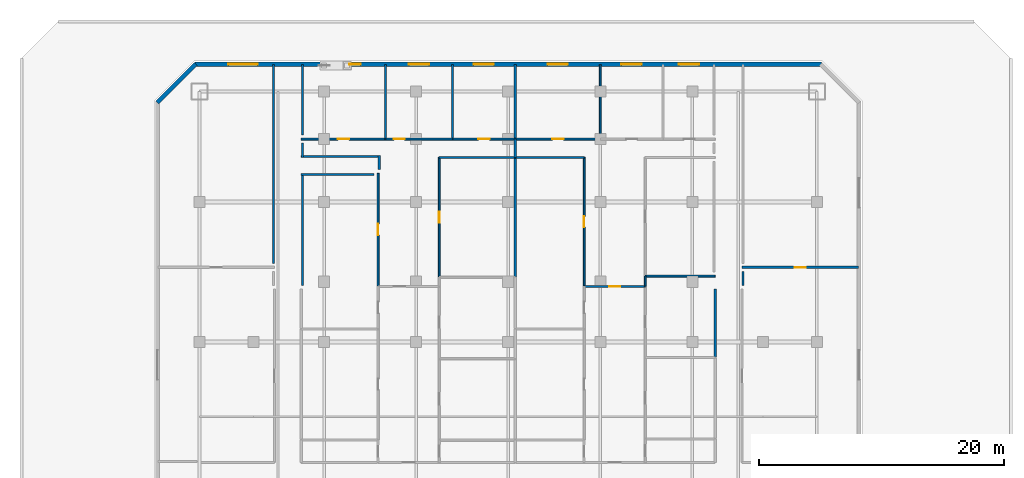
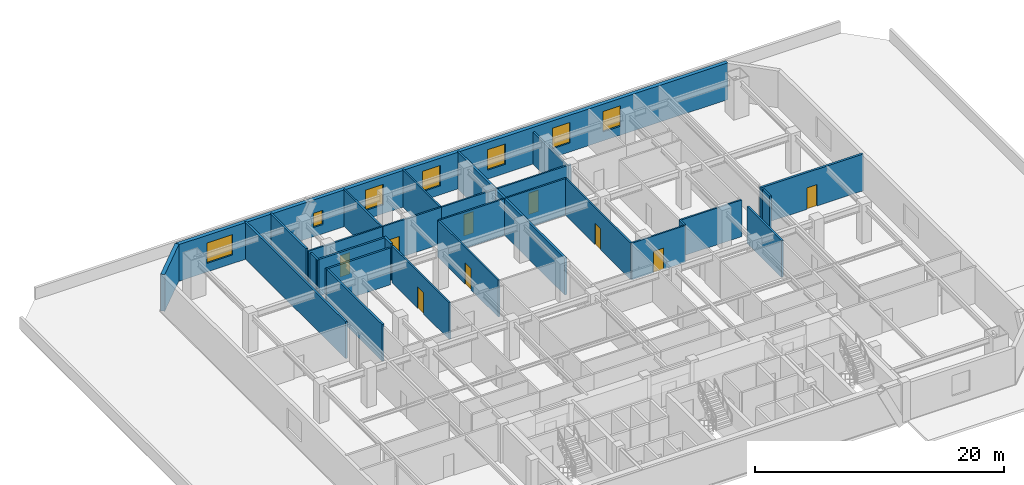
# One storey, part 8 of 11: 30 walls, 9 doors, 7 windows, 16 openings.
"""IFC4 building model written with IfcOpenShell, lengths in metres."""

from ifc_helpers import new_model, si_unit, direction, frame, frame_2d, origin, place, context, subcontext, project, spatial, rectangle, extrude, material, layer, layer_set, type_object, element, fill, save


model = new_model("IFC4")

# Units and contexts
model_context = context("Model", 3, precision=1e-05, world=origin(), true_north=direction((0.0, 1.0)))
body_context = subcontext(model_context, "Body", "Model", "MODEL_VIEW")
ifc_project = project(units=[si_unit("LENGTHUNIT", "METRE"), si_unit("AREAUNIT", "SQUARE_METRE"), si_unit("VOLUMEUNIT", "CUBIC_METRE"), si_unit("PLANEANGLEUNIT", "RADIAN"), si_unit("MASSUNIT", "GRAM", prefix="KILO")], contexts=[model_context])

# Site, building, storey
site_placement = place(None, origin())
site = spatial("IfcSite", under=ifc_project, at=site_placement, CompositionType="ELEMENT")
building_placement = place(site_placement, origin())
building = spatial("IfcBuilding", under=site, at=building_placement, Name="Ventersveld Concourse Tower", CompositionType="ELEMENT")
storey_placement = place(building_placement, frame((0.0, 0.0, 29.800048828125)))
storey = spatial("IfcBuildingStorey", under=building, at=storey_placement, Name="L06", CompositionType="ELEMENT", Elevation=29.800048828125)

# Walls
ifc_material_1 = material(Name="Fire-rated autoclaved aerated masonry blockwork", Category="masonry")
ifc_layer_1 = layer(ifc_material_1, 0.179931640625)
ifc_layer_set_1 = layer_set([ifc_layer_1], Name="Fire-rated autoclaved aerated masonry blockwork")
wall_type_1 = type_object("IfcWallType", Name="WL-CORR-180", PredefinedType="PARTITIONING", material=ifc_layer_set_1)
wall_1_placement = place(storey_placement, frame((45.610107421875, 22.359619140625, 0.0), z_axis=(0.0, 0.0, 1.0), x_axis=(0.0, 1.0, 0.0)))
element("IfcWall", 1, at=wall_1_placement, inside=storey, type_object=wall_type_1, Name="L06 Interior Partition SP-L06-COR-SP-L06-06N2-DENS", PredefinedType="PARTITIONING", context=body_context, shape_type="SweptSolid", body=[
    extrude(rectangle(XDim=5.535400390625, YDim=0.179931640625, at=frame_2d((2.767578125, 0.0))), origin(), (0.0, 0.0, 1.0), 3.599853515625),
])
wall_2_placement = place(storey_placement, frame((9.6201171875, 46.18994140625, 0.0), z_axis=(0.0, 0.0, 1.0), x_axis=(0.0, -1.0, 0.0)))
element("IfcWall", 2, at=wall_2_placement, inside=storey, type_object=wall_type_1, Name="L06 Room Enclosure Wall SP-L06-NWLNG2", PredefinedType="PARTITIONING", context=body_context, shape_type="SweptSolid", body=[
    extrude(rectangle(XDim=16.19482421875, YDim=0.179931640625, at=frame_2d((8.097412109375, 0.0))), origin(), (0.0, 0.0, 1.0), 3.599853515625),
])
wall_3_placement = place(storey_placement, frame((47.8798828125, 28.2099609375, 0.0), z_axis=(0.0, 0.0, 1.0), x_axis=(0.0, 1.0, 0.0)))
element("IfcWall", 3, at=wall_3_placement, inside=storey, type_object=wall_type_1, Name="L06 Room Enclosure Wall SP-L06-NELNG1", PredefinedType="PARTITIONING", context=body_context, shape_type="SweptSolid", body=[
    extrude(rectangle(XDim=1.135009765625, YDim=0.179931640625, at=frame_2d((0.5673828125, 0.0))), origin(), (0.0, 0.0, 1.0), 3.599853515625),
])
wall_4_placement = place(storey_placement, frame((18.3330078125, 38.7099609375, 0.0), z_axis=(0.0, 0.0, 1.0), x_axis=(-1.0, 0.0, 0.0)))
element("IfcWall", 4, at=wall_4_placement, inside=storey, type_object=wall_type_1, Name="L06 Room Enclosure Wall SP-L06-06N1-LIV", PredefinedType="PARTITIONING", context=body_context, shape_type="SweptSolid", body=[
    extrude(rectangle(XDim=6.447998046875, YDim=0.179931640625, at=frame_2d((3.22412109375, 0.0))), origin(), (0.0, 0.0, 1.0), 3.599853515625),
])
wall_5_placement = place(storey_placement, frame((11.97998046875, 38.614990234375, 0.0), z_axis=(0.0, 0.0, 1.0), x_axis=(0.0, 1.0, 0.0)))
element("IfcWall", 5, at=wall_5_placement, inside=storey, type_object=wall_type_1, Name="L06 Room Enclosure Wall SP-L06-06N1-LIV", PredefinedType="PARTITIONING", context=body_context, shape_type="SweptSolid", body=[
    extrude(rectangle(XDim=1.179931640625, YDim=0.179931640625, at=frame_2d((0.58984375, 0.0))), origin(), (0.0, 0.0, 1.0), 3.599853515625),
])
wall_6_placement = place(storey_placement, frame((18.23779296875, 37.654052734375, 0.0), z_axis=(0.0, 0.0, 1.0), x_axis=(0.0, 1.0, 0.0)))
element("IfcWall", 6, at=wall_6_placement, inside=storey, type_object=wall_type_1, Name="L06 Room Enclosure Wall SP-L06-06N1-LIV", PredefinedType="PARTITIONING", context=body_context, shape_type="SweptSolid", body=[
    extrude(rectangle(XDim=1.15087890625, YDim=0.179931640625, at=frame_2d((0.575439453125, 0.0))), origin(), (0.0, 0.0, 1.0), 3.599853515625),
])
wall_7_placement = place(storey_placement, frame((11.885009765625, 37.244140625, 0.0), z_axis=(0.0, 0.0, 1.0), x_axis=(1.0, 0.0, 0.0)))
element("IfcWall", 7, at=wall_7_placement, inside=storey, type_object=wall_type_1, Name="L06 Room Enclosure Wall SP-L06-06N1-DENL2", PredefinedType="PARTITIONING", context=body_context, shape_type="SweptSolid", body=[
    extrude(rectangle(XDim=5.93798828125, YDim=0.179931640625, at=frame_2d((2.968994140625, 0.0))), origin(), (0.0, 0.0, 1.0), 3.599853515625),
])
wall_8_placement = place(storey_placement, frame((11.97998046875, 28.2099609375, 0.0), z_axis=(0.0, 0.0, 1.0), x_axis=(0.0, 1.0, 0.0)))
element("IfcWall", 8, at=wall_8_placement, inside=storey, type_object=wall_type_1, Name="L06 Room Enclosure Wall SP-L06-06N1-DENL2", PredefinedType="PARTITIONING", context=body_context, shape_type="SweptSolid", body=[
    extrude(rectangle(XDim=9.129150390625, YDim=0.179931640625, at=frame_2d((4.564453125, 0.0))), origin(), (0.0, 0.0, 1.0), 3.599853515625),
])
wall_9_placement = place(storey_placement, frame((11.97998046875, 40.445068359375, 0.0), z_axis=(0.0, 0.0, 1.0), x_axis=(0.0, 1.0, 0.0)))
element("IfcWall", 9, at=wall_9_placement, inside=storey, type_object=wall_type_1, Name="L06 Room Enclosure Wall SP-L06-06N1-BR1", PredefinedType="PARTITIONING", context=body_context, shape_type="SweptSolid", body=[
    extrude(rectangle(XDim=5.744873046875, YDim=0.179931640625, at=frame_2d((2.87255859375, 0.0))), origin(), (0.0, 0.0, 1.0), 3.599853515625),
])

# Wall, opening, door
ifc_layer_2 = layer(ifc_material_1, 0.199951171875)
ifc_layer_set_2 = layer_set([ifc_layer_2], Name="Fire-rated autoclaved aerated masonry blockwork")
wall_type_2 = type_object("IfcWallType", Name="WL-DEMISE-200", PredefinedType="PARTITIONING", material=ifc_layer_set_2)
wall_10_placement = place(storey_placement, frame((47.784912109375, 29.669921875, 0.0), z_axis=(0.0, 0.0, 1.0), x_axis=(1.0, 0.0, 0.0)))
wall_10 = element("IfcWall", 10, at=wall_10_placement, inside=storey, type_object=wall_type_2, Name="L06 Interior Partition SP-L06-NELNG1-SP-L06-NELNG2", PredefinedType="PARTITIONING", context=body_context, shape_type="SweptSolid", body=[
    extrude(rectangle(XDim=9.505126953125, YDim=0.199951171875, at=frame_2d((4.75244140625, 0.0))), origin(), (0.0, 0.0, 1.0), 3.599853515625),
])
opening_1_placement = place(wall_10_placement, frame((4.29248046875, 0.0, 0.0)))
opening_1 = element("IfcOpeningElement", 11, at=opening_1_placement, cuts=wall_10, Name="Opening ID1", PredefinedType="OPENING", context=body_context, shape_type="SweptSolid", body=[
    extrude(rectangle(XDim=0.919921875, YDim=2.10009765625, at=frame_2d((0.4599609375, 1.050048828125))), frame((0.0, 0.10986328125, 0.0), z_axis=(0.0, -1.0, 0.0), x_axis=(1.0, 0.0, 0.0)), (0.0, 0.0, 1.0), 0.219970703125),
])
ifc_material_2 = material(Name="Solid-core hardwood veneer timber", Category="wood")
door_type = type_object("IfcDoorType", Name="DR-ROOM-092", OperationType="NOTDEFINED", PredefinedType="DOOR", material=ifc_material_2)
door_1_placement = place(opening_1_placement, origin())
door_1 = element("IfcDoor", 12, at=door_1_placement, inside=storey, type_object=door_type, Name="L06 Interior Door SP-L06-NELNG1 to SP-L06-NELNG2 (D-L06-0192)", OperationType="SINGLE_SWING_RIGHT", OverallHeight=2.10009765625, OverallWidth=0.919921875, PredefinedType="DOOR", context=body_context, shape_type="SweptSolid", body=[
    extrude(rectangle(XDim=0.919921875, YDim=2.10009765625, at=frame_2d((0.4599609375, 1.050048828125))), frame((0.0, 0.02490234375, 0.0), z_axis=(0.0, -1.0, 0.0), x_axis=(1.0, 0.0, 0.0)), (0.0, 0.0, 1.0), 0.050048828125),
])
fill(opening_1, door_1)

# Walls
wall_11_placement = place(storey_placement, frame((29.314208984375, 38.614990234375, 0.0), z_axis=(0.0, 0.0, 1.0), x_axis=(0.0, 1.0, 0.0)))
element("IfcWall", 13, at=wall_11_placement, inside=storey, type_object=wall_type_2, Name="L06 Interior Partition SP-L06-06N1-LIV-SP-L06-06N2-LIV", PredefinedType="PARTITIONING", context=body_context, shape_type="SweptSolid", body=[
    extrude(rectangle(XDim=1.510009765625, YDim=0.199951171875, at=frame_2d((0.7548828125, 0.0))), origin(), (0.0, 0.0, 1.0), 3.599853515625),
])
wall_12_placement = place(storey_placement, frame((29.314208984375, 28.90087890625, 0.0), z_axis=(0.0, 0.0, 1.0), x_axis=(0.0, 1.0, 0.0)))
element("IfcWall", 14, at=wall_12_placement, inside=storey, type_object=wall_type_2, Name="L06 Interior Partition SP-L06-06N1-DENS2-SP-L06-06N2-DENL2", PredefinedType="PARTITIONING", context=body_context, shape_type="SweptSolid", body=[
    extrude(rectangle(XDim=9.68408203125, YDim=0.199951171875, at=frame_2d((4.842041015625, 0.0))), origin(), (0.0, 0.0, 1.0), 3.599853515625),
])
wall_13_placement = place(storey_placement, frame((29.314208984375, 40.155029296875, 0.0), z_axis=(0.0, 0.0, 1.0), x_axis=(0.0, 1.0, 0.0)))
element("IfcWall", 15, at=wall_13_placement, inside=storey, type_object=wall_type_2, Name="L06 Interior Partition SP-L06-06N1-BR3-SP-L06-06N2-BR1", PredefinedType="PARTITIONING", context=body_context, shape_type="SweptSolid", body=[
    extrude(rectangle(XDim=6.034912109375, YDim=0.199951171875, at=frame_2d((3.017578125, 0.0))), origin(), (0.0, 0.0, 1.0), 3.599853515625),
])

# Wall, opening, door
ifc_material_3 = material(Name="Autoclaved aerated masonry blockwork", Category="masonry")
ifc_layer_3 = layer(ifc_material_3, 0.14990234375)
ifc_layer_set_3 = layer_set([ifc_layer_3], Name="Autoclaved aerated masonry blockwork")
wall_type_3 = type_object("IfcWallType", Name="WL-INT-150", PredefinedType="PARTITIONING", material=ifc_layer_set_3)
wall_14_placement = place(storey_placement, frame((18.14794921875, 28.151611328125, 0.0), z_axis=(0.0, 0.0, 1.0), x_axis=(0.0, 1.0, 0.0)))
wall_14 = element("IfcWall", 16, at=wall_14_placement, inside=storey, type_object=wall_type_3, Name="L06 Interior Partition SP-L06-06N1-LIV-SP-L06-06N1-DENL2", PredefinedType="PARTITIONING", context=body_context, shape_type="SweptSolid", body=[
    extrude(rectangle(XDim=9.1875, YDim=0.14990234375, at=frame_2d((4.59375, 0.0))), origin(), (0.0, 0.0, 1.0), 3.599853515625),
])
opening_2_placement = place(wall_14_placement, frame((4.1337890625, 0.0, 0.0)))
opening_2 = element("IfcOpeningElement", 17, at=opening_2_placement, cuts=wall_14, Name="Opening ID1", PredefinedType="OPENING", context=body_context, shape_type="SweptSolid", body=[
    extrude(rectangle(XDim=0.919921875, YDim=2.10009765625, at=frame_2d((0.4599609375, 1.050048828125))), frame((0.0, 0.0849609375, 0.0), z_axis=(0.0, -1.0, 0.0), x_axis=(1.0, 0.0, 0.0)), (0.0, 0.0, 1.0), 0.169921875),
])
door_2_placement = place(opening_2_placement, origin())
door_2 = element("IfcDoor", 18, at=door_2_placement, inside=storey, type_object=door_type, Name="L06 Interior Door SP-L06-06N1-LIV to SP-L06-06N1-DENL2 (D-L06-0200)", OperationType="SINGLE_SWING_RIGHT", OverallHeight=2.10009765625, OverallWidth=0.919921875, PredefinedType="DOOR", context=body_context, shape_type="SweptSolid", body=[
    extrude(rectangle(XDim=0.919921875, YDim=2.10009765625, at=frame_2d((0.4599609375, 1.050048828125))), frame((0.0, 0.02490234375, 0.0), z_axis=(0.0, -1.0, 0.0), x_axis=(1.0, 0.0, 0.0)), (0.0, 0.0, 1.0), 0.050048828125),
])
fill(opening_2, door_2)

wall_15_placement = place(storey_placement, frame((23.1279296875, 28.90087890625, 0.0), z_axis=(0.0, 0.0, 1.0), x_axis=(0.0, 1.0, 0.0)))
wall_15 = element("IfcWall", 19, at=wall_15_placement, inside=storey, type_object=wall_type_3, Name="L06 Interior Partition SP-L06-06N1-LIV-SP-L06-06N1-DENS2", PredefinedType="PARTITIONING", context=body_context, shape_type="SweptSolid", body=[
    extrude(rectangle(XDim=9.72412109375, YDim=0.14990234375, at=frame_2d((4.862060546875, 0.0))), origin(), (0.0, 0.0, 1.0), 3.599853515625),
])
opening_3_placement = place(wall_15_placement, frame((4.402099609375, 0.0, 0.0)))
opening_3 = element("IfcOpeningElement", 20, at=opening_3_placement, cuts=wall_15, Name="Opening ID1", PredefinedType="OPENING", context=body_context, shape_type="SweptSolid", body=[
    extrude(rectangle(XDim=0.919921875, YDim=2.10009765625, at=frame_2d((0.4599609375, 1.050048828125))), frame((0.0, 0.0849609375, 0.0), z_axis=(0.0, -1.0, 0.0), x_axis=(1.0, 0.0, 0.0)), (0.0, 0.0, 1.0), 0.169921875),
])
door_3_placement = place(opening_3_placement, origin())
door_3 = element("IfcDoor", 21, at=door_3_placement, inside=storey, type_object=door_type, Name="L06 Interior Door SP-L06-06N1-LIV to SP-L06-06N1-DENS2 (D-L06-0201)", OperationType="SINGLE_SWING_LEFT", OverallHeight=2.10009765625, OverallWidth=0.919921875, PredefinedType="DOOR", context=body_context, shape_type="SweptSolid", body=[
    extrude(rectangle(XDim=0.919921875, YDim=2.10009765625, at=frame_2d((0.4599609375, 1.050048828125))), frame((0.0, 0.02490234375, 0.0), z_axis=(0.0, -1.0, 0.0), x_axis=(1.0, 0.0, 0.0)), (0.0, 0.0, 1.0), 0.050048828125),
])
fill(opening_3, door_3)

# Wall
wall_16_placement = place(storey_placement, frame((23.122802734375, 38.6201171875, 0.0), z_axis=(0.0, 0.0, 1.0), x_axis=(1.0, 0.0, 0.0)))
element("IfcWall", 22, at=wall_16_placement, inside=storey, type_object=wall_type_3, Name="L06 Interior Partition SP-L06-06N1-LIV-SP-L06-06N1-DENS2", PredefinedType="PARTITIONING", context=body_context, shape_type="SweptSolid", body=[
    extrude(rectangle(XDim=6.1962890625, YDim=0.14990234375, at=frame_2d((3.09814453125, 0.0))), origin(), (0.0, 0.0, 1.0), 3.599853515625),
])

# Wall, opening, door
wall_17_placement = place(storey_placement, frame((11.885009765625, 40.1201171875, 0.0), z_axis=(0.0, 0.0, 1.0), x_axis=(1.0, 0.0, 0.0)))
wall_17 = element("IfcWall", 23, at=wall_17_placement, inside=storey, type_object=wall_type_3, Name="L06 Interior Partition SP-L06-06N1-LIV-SP-L06-06N1-BR1", PredefinedType="PARTITIONING", context=body_context, shape_type="SweptSolid", body=[
    extrude(rectangle(XDim=6.873291015625, YDim=0.14990234375, at=frame_2d((3.4365234375, 0.0))), origin(), (0.0, 0.0, 1.0), 3.599853515625),
])
opening_4_placement = place(wall_17_placement, frame((2.9765625, 0.0, 0.0)))
opening_4 = element("IfcOpeningElement", 24, at=opening_4_placement, cuts=wall_17, Name="Opening ID1", PredefinedType="OPENING", context=body_context, shape_type="SweptSolid", body=[
    extrude(rectangle(XDim=0.919921875, YDim=2.10009765625, at=frame_2d((0.4599609375, 1.050048828125))), frame((0.0, 0.0849609375, 0.0), z_axis=(0.0, -1.0, 0.0), x_axis=(1.0, 0.0, 0.0)), (0.0, 0.0, 1.0), 0.169921875),
])
door_4_placement = place(opening_4_placement, origin())
door_4 = element("IfcDoor", 25, at=door_4_placement, inside=storey, type_object=door_type, Name="L06 Interior Door SP-L06-06N1-LIV to SP-L06-06N1-BR1 (D-L06-0202)", OperationType="SINGLE_SWING_RIGHT", OverallHeight=2.10009765625, OverallWidth=0.919921875, PredefinedType="DOOR", context=body_context, shape_type="SweptSolid", body=[
    extrude(rectangle(XDim=0.919921875, YDim=2.10009765625, at=frame_2d((0.4599609375, 1.050048828125))), frame((0.0, 0.02490234375, 0.0), z_axis=(0.0, -1.0, 0.0), x_axis=(1.0, 0.0, 0.0)), (0.0, 0.0, 1.0), 0.050048828125),
])
fill(opening_4, door_4)

wall_18_placement = place(storey_placement, frame((18.788330078125, 40.1201171875, 0.0), z_axis=(0.0, 0.0, 1.0), x_axis=(1.0, 0.0, 0.0)))
wall_18 = element("IfcWall", 26, at=wall_18_placement, inside=storey, type_object=wall_type_3, Name="L06 Interior Partition SP-L06-06N1-LIV-SP-L06-06N1-BR2", PredefinedType="PARTITIONING", context=body_context, shape_type="SweptSolid", body=[
    extrude(rectangle(XDim=5.42626953125, YDim=0.14990234375, at=frame_2d((2.713134765625, 0.0))), origin(), (0.0, 0.0, 1.0), 3.599853515625),
])
opening_5_placement = place(wall_18_placement, frame((0.625244140625, 0.0, 0.0)))
opening_5 = element("IfcOpeningElement", 27, at=opening_5_placement, cuts=wall_18, Name="Opening ID1", PredefinedType="OPENING", context=body_context, shape_type="SweptSolid", body=[
    extrude(rectangle(XDim=0.919921875, YDim=2.10009765625, at=frame_2d((0.4599609375, 1.050048828125))), frame((0.0, 0.0849609375, 0.0), z_axis=(0.0, -1.0, 0.0), x_axis=(1.0, 0.0, 0.0)), (0.0, 0.0, 1.0), 0.169921875),
])
door_5_placement = place(opening_5_placement, origin())
door_5 = element("IfcDoor", 28, at=door_5_placement, inside=storey, type_object=door_type, Name="L06 Interior Door SP-L06-06N1-LIV to SP-L06-06N1-BR2 (D-L06-0203)", OperationType="SINGLE_SWING_LEFT", OverallHeight=2.10009765625, OverallWidth=0.919921875, PredefinedType="DOOR", context=body_context, shape_type="SweptSolid", body=[
    extrude(rectangle(XDim=0.919921875, YDim=2.10009765625, at=frame_2d((0.4599609375, 1.050048828125))), frame((0.0, 0.02490234375, 0.0), z_axis=(0.0, -1.0, 0.0), x_axis=(1.0, 0.0, 0.0)), (0.0, 0.0, 1.0), 0.050048828125),
])
fill(opening_5, door_5)

wall_19_placement = place(storey_placement, frame((24.24462890625, 40.1201171875, 0.0), z_axis=(0.0, 0.0, 1.0), x_axis=(1.0, 0.0, 0.0)))
wall_19 = element("IfcWall", 29, at=wall_19_placement, inside=storey, type_object=wall_type_3, Name="L06 Interior Partition SP-L06-06N1-LIV-SP-L06-06N1-BR3", PredefinedType="PARTITIONING", context=body_context, shape_type="SweptSolid", body=[
    extrude(rectangle(XDim=5.074462890625, YDim=0.14990234375, at=frame_2d((2.537109375, 0.0))), origin(), (0.0, 0.0, 1.0), 3.599853515625),
])
opening_6_placement = place(wall_19_placement, frame((2.0771484375, 0.0, 0.0)))
opening_6 = element("IfcOpeningElement", 30, at=opening_6_placement, cuts=wall_19, Name="Opening ID1", PredefinedType="OPENING", context=body_context, shape_type="SweptSolid", body=[
    extrude(rectangle(XDim=0.919921875, YDim=2.10009765625, at=frame_2d((0.4599609375, 1.050048828125))), frame((0.0, 0.0849609375, 0.0), z_axis=(0.0, -1.0, 0.0), x_axis=(1.0, 0.0, 0.0)), (0.0, 0.0, 1.0), 0.169921875),
])
door_6_placement = place(opening_6_placement, origin())
door_6 = element("IfcDoor", 31, at=door_6_placement, inside=storey, type_object=door_type, Name="L06 Interior Door SP-L06-06N1-LIV to SP-L06-06N1-BR3 (D-L06-0204)", OperationType="SINGLE_SWING_RIGHT", OverallHeight=2.10009765625, OverallWidth=0.919921875, PredefinedType="DOOR", context=body_context, shape_type="SweptSolid", body=[
    extrude(rectangle(XDim=0.919921875, YDim=2.10009765625, at=frame_2d((0.4599609375, 1.050048828125))), frame((0.0, 0.02490234375, 0.0), z_axis=(0.0, -1.0, 0.0), x_axis=(1.0, 0.0, 0.0)), (0.0, 0.0, 1.0), 0.050048828125),
])
fill(opening_6, door_6)

# Walls
for number, where, z_axis, x_axis, name in (
    (32, (18.75341796875, 40.114990234375, 0.0), (0.0, 0.0, 1.0), (0.0, 1.0, 0.0), "L06 Interior Partition SP-L06-06N1-BR1-SP-L06-06N1-BR2"),
    (33, (24.209716796875, 40.114990234375, 0.0), (0.0, 0.0, 1.0), (0.0, 1.0, 0.0), "L06 Interior Partition SP-L06-06N1-BR2-SP-L06-06N1-BR3"),
):
    element("IfcWall", number, at=place(storey_placement, frame(where, z_axis=z_axis, x_axis=x_axis)), inside=storey, type_object=wall_type_3, Name=name, PredefinedType="PARTITIONING", context=body_context, shape_type="SweptSolid", body=[
        extrude(rectangle(XDim=6.074951171875, YDim=0.14990234375, at=frame_2d((3.03759765625, 0.0))), origin(), (0.0, 0.0, 1.0), 3.599853515625),
    ])

# Wall, opening, door
wall_20_placement = place(storey_placement, frame((34.93359375, 28.11669921875, 0.0), z_axis=(0.0, 0.0, 1.0), x_axis=(1.0, 0.0, 0.0)))
wall_20 = element("IfcWall", 34, at=wall_20_placement, inside=storey, type_object=wall_type_3, Name="L06 Interior Partition SP-L06-06N2-FOY-SP-L06-06N2-LIV", PredefinedType="PARTITIONING", context=body_context, shape_type="SweptSolid", body=[
    extrude(rectangle(XDim=4.989990234375, YDim=0.14990234375, at=frame_2d((2.4951171875, 0.0))), origin(), (0.0, 0.0, 1.0), 3.599853515625),
])
opening_7_placement = place(wall_20_placement, frame((2.034912109375, 0.0, 0.0)))
opening_7 = element("IfcOpeningElement", 35, at=opening_7_placement, cuts=wall_20, Name="Opening ID1", PredefinedType="OPENING", context=body_context, shape_type="SweptSolid", body=[
    extrude(rectangle(XDim=0.919921875, YDim=2.10009765625, at=frame_2d((0.4599609375, 1.050048828125))), frame((0.0, 0.0849609375, 0.0), z_axis=(0.0, -1.0, 0.0), x_axis=(1.0, 0.0, 0.0)), (0.0, 0.0, 1.0), 0.169921875),
])
door_7_placement = place(opening_7_placement, origin())
door_7 = element("IfcDoor", 36, at=door_7_placement, inside=storey, type_object=door_type, Name="L06 Interior Door SP-L06-06N2-FOY to SP-L06-06N2-LIV (D-L06-0205)", OperationType="SINGLE_SWING_LEFT", OverallHeight=2.10009765625, OverallWidth=0.919921875, PredefinedType="DOOR", context=body_context, shape_type="SweptSolid", body=[
    extrude(rectangle(XDim=0.919921875, YDim=2.10009765625, at=frame_2d((0.4599609375, 1.050048828125))), frame((0.0, 0.02490234375, 0.0), z_axis=(0.0, -1.0, 0.0), x_axis=(1.0, 0.0, 0.0)), (0.0, 0.0, 1.0), 0.050048828125),
])
fill(opening_7, door_7)

wall_21_placement = place(storey_placement, frame((34.9384765625, 28.151611328125, 0.0), z_axis=(0.0, 0.0, 1.0), x_axis=(0.0, 1.0, 0.0)))
wall_21 = element("IfcWall", 37, at=wall_21_placement, inside=storey, type_object=wall_type_3, Name="L06 Interior Partition SP-L06-06N2-LIV-SP-L06-06N2-DENL2", PredefinedType="PARTITIONING", context=body_context, shape_type="SweptSolid", body=[
    extrude(rectangle(XDim=10.473388671875, YDim=0.14990234375, at=frame_2d((5.23681640625, 0.0))), origin(), (0.0, 0.0, 1.0), 3.599853515625),
])
opening_8_placement = place(wall_21_placement, frame((4.776611328125, 0.0, 0.0)))
opening_8 = element("IfcOpeningElement", 38, at=opening_8_placement, cuts=wall_21, Name="Opening ID1", PredefinedType="OPENING", context=body_context, shape_type="SweptSolid", body=[
    extrude(rectangle(XDim=0.919921875, YDim=2.10009765625, at=frame_2d((0.4599609375, 1.050048828125))), frame((0.0, 0.0849609375, 0.0), z_axis=(0.0, -1.0, 0.0), x_axis=(1.0, 0.0, 0.0)), (0.0, 0.0, 1.0), 0.169921875),
])
door_8_placement = place(opening_8_placement, origin())
door_8 = element("IfcDoor", 39, at=door_8_placement, inside=storey, type_object=door_type, Name="L06 Interior Door SP-L06-06N2-LIV to SP-L06-06N2-DENL2 (D-L06-0212)", OperationType="SINGLE_SWING_RIGHT", OverallHeight=2.10009765625, OverallWidth=0.919921875, PredefinedType="DOOR", context=body_context, shape_type="SweptSolid", body=[
    extrude(rectangle(XDim=0.919921875, YDim=2.10009765625, at=frame_2d((0.4599609375, 1.050048828125))), frame((0.0, 0.02490234375, 0.0), z_axis=(0.0, -1.0, 0.0), x_axis=(1.0, 0.0, 0.0)), (0.0, 0.0, 1.0), 0.050048828125),
])
fill(opening_8, door_8)

# Walls
wall_22_placement = place(storey_placement, frame((29.34912109375, 38.6201171875, 0.0), z_axis=(0.0, 0.0, 1.0), x_axis=(1.0, 0.0, 0.0)))
element("IfcWall", 40, at=wall_22_placement, inside=storey, type_object=wall_type_3, Name="L06 Interior Partition SP-L06-06N2-LIV-SP-L06-06N2-DENL2", PredefinedType="PARTITIONING", context=body_context, shape_type="SweptSolid", body=[
    extrude(rectangle(XDim=5.594482421875, YDim=0.14990234375, at=frame_2d((2.79736328125, 0.0))), origin(), (0.0, 0.0, 1.0), 3.599853515625),
])
wall_23_placement = place(storey_placement, frame((39.91845703125, 28.151611328125, 0.0), z_axis=(0.0, 0.0, 1.0), x_axis=(0.0, 1.0, 0.0)))
element("IfcWall", 41, at=wall_23_placement, inside=storey, type_object=wall_type_3, Name="L06 Interior Partition SP-L06-06N2-LIV-SP-L06-06N2-DENS", PredefinedType="PARTITIONING", context=body_context, shape_type="SweptSolid", body=[
    extrude(rectangle(XDim=0.81103515625, YDim=0.14990234375, at=frame_2d((0.405517578125, 0.0))), origin(), (0.0, 0.0, 1.0), 3.599853515625),
])

# Wall, opening, door
wall_24_placement = place(storey_placement, frame((29.34912109375, 40.1201171875, 0.0), z_axis=(0.0, 0.0, 1.0), x_axis=(1.0, 0.0, 0.0)))
wall_24 = element("IfcWall", 42, at=wall_24_placement, inside=storey, type_object=wall_type_3, Name="L06 Interior Partition SP-L06-06N2-LIV-SP-L06-06N2-BR1", PredefinedType="PARTITIONING", context=body_context, shape_type="SweptSolid", body=[
    extrude(rectangle(XDim=6.90576171875, YDim=0.14990234375, at=frame_2d((3.452880859375, 0.0))), origin(), (0.0, 0.0, 1.0), 3.599853515625),
])
opening_9_placement = place(wall_24_placement, frame((2.992919921875, 0.0, 0.0)))
opening_9 = element("IfcOpeningElement", 43, at=opening_9_placement, cuts=wall_24, Name="Opening ID1", PredefinedType="OPENING", context=body_context, shape_type="SweptSolid", body=[
    extrude(rectangle(XDim=0.919921875, YDim=2.10009765625, at=frame_2d((0.4599609375, 1.050048828125))), frame((0.0, 0.0849609375, 0.0), z_axis=(0.0, -1.0, 0.0), x_axis=(1.0, 0.0, 0.0)), (0.0, 0.0, 1.0), 0.169921875),
])
door_9_placement = place(opening_9_placement, origin())
door_9 = element("IfcDoor", 44, at=door_9_placement, inside=storey, type_object=door_type, Name="L06 Interior Door SP-L06-06N2-LIV to SP-L06-06N2-BR1 (D-L06-0214)", OperationType="SINGLE_SWING_RIGHT", OverallHeight=2.10009765625, OverallWidth=0.919921875, PredefinedType="DOOR", context=body_context, shape_type="SweptSolid", body=[
    extrude(rectangle(XDim=0.919921875, YDim=2.10009765625, at=frame_2d((0.4599609375, 1.050048828125))), frame((0.0, 0.02490234375, 0.0), z_axis=(0.0, -1.0, 0.0), x_axis=(1.0, 0.0, 0.0)), (0.0, 0.0, 1.0), 0.050048828125),
])
fill(opening_9, door_9)

# Walls
wall_25_placement = place(storey_placement, frame((39.91357421875, 28.95751953125, 0.0), z_axis=(0.0, 0.0, 1.0), x_axis=(1.0, 0.0, 0.0)))
element("IfcWall", 45, at=wall_25_placement, inside=storey, type_object=wall_type_3, Name="L06 Interior Partition SP-L06-06N2-DENS-SP-L06-06N2-DENS2", PredefinedType="PARTITIONING", context=body_context, shape_type="SweptSolid", body=[
    extrude(rectangle(XDim=5.701416015625, YDim=0.14990234375, at=frame_2d((2.8505859375, 0.0))), origin(), (0.0, 0.0, 1.0), 3.599853515625),
])
wall_26_placement = place(storey_placement, frame((36.25, 40.114990234375, 0.0), z_axis=(0.0, 0.0, 1.0), x_axis=(0.0, 1.0, 0.0)))
element("IfcWall", 46, at=wall_26_placement, inside=storey, type_object=wall_type_3, Name="L06 Interior Partition SP-L06-06N2-BR1-SP-L06-06N2-BR2", PredefinedType="PARTITIONING", context=body_context, shape_type="SweptSolid", body=[
    extrude(rectangle(XDim=6.074951171875, YDim=0.14990234375, at=frame_2d((3.03759765625, 0.0))), origin(), (0.0, 0.0, 1.0), 3.139892578125),
])

# Wall, openings, windows
ifc_material_4 = material(Name="Precast concrete C45/55", Category="concrete")
ifc_layer_4 = layer(ifc_material_4, 0.35009765625)
ifc_layer_set_4 = layer_set([ifc_layer_4], Name="Precast concrete C45/55")
wall_type_4 = type_object("IfcWallType", Name="WL-PREC-350", PredefinedType="SOLIDWALL", material=ifc_layer_set_4)
wall_27_placement = place(storey_placement, frame((54.260009765625, 46.22509765625, 0.0), z_axis=(0.0, 0.0, 1.0), x_axis=(-1.0, 0.0, 0.0)))
wall_27 = element("IfcWall", 47, at=wall_27_placement, inside=storey, type_object=wall_type_4, Name="L06 Highveld Precast Facade Wall E05", PredefinedType="SOLIDWALL", context=body_context, shape_type="SweptSolid", body=[
    extrude(rectangle(XDim=51.02001953125, YDim=0.35009765625, at=frame_2d((25.510009765625, 0.0))), origin(), (0.0, 0.0, 1.0), 3.599853515625),
])
opening_10_placement = place(wall_27_placement, frame((45.91748046875, 0.0, 0.85009765625)))
opening_10 = element("IfcOpeningElement", 48, at=opening_10_placement, cuts=wall_27, Name="Opening W5", PredefinedType="OPENING", context=body_context, shape_type="SweptSolid", body=[
    extrude(rectangle(XDim=2.39990234375, YDim=2.0, at=frame_2d((1.199951171875, 1.0))), frame((0.0, 0.18505859375, 0.0), z_axis=(0.0, -1.0, 0.0), x_axis=(1.0, 0.0, 0.0)), (0.0, 0.0, 1.0), 0.3701171875),
])
opening_11_placement = place(wall_27_placement, frame((37.544189453125, 0.0, 0.89990234375)))
opening_11 = element("IfcOpeningElement", 49, at=opening_11_placement, cuts=wall_27, Name="Opening W8", PredefinedType="OPENING", context=body_context, shape_type="SweptSolid", body=[
    extrude(rectangle(XDim=0.89990234375, YDim=1.39990234375, at=frame_2d((0.449951171875, 0.699951171875))), frame((0.0, 0.18505859375, 0.0), z_axis=(0.0, -1.0, 0.0), x_axis=(1.0, 0.0, 0.0)), (0.0, 0.0, 1.0), 0.3701171875),
])
opening_12_placement = place(wall_27_placement, frame((31.95361328125, 0.0, 0.8798828125)))
opening_12 = element("IfcOpeningElement", 50, at=opening_12_placement, cuts=wall_27, Name="Opening W6", PredefinedType="OPENING", context=body_context, shape_type="SweptSolid", body=[
    extrude(rectangle(XDim=1.64990234375, YDim=2.0, at=frame_2d((0.824951171875, 1.0))), frame((0.0, 0.18505859375, 0.0), z_axis=(0.0, -1.0, 0.0), x_axis=(1.0, 0.0, 0.0)), (0.0, 0.0, 1.0), 0.3701171875),
])
opening_13_placement = place(wall_27_placement, frame((26.673095703125, 0.0, 0.8798828125)))
opening_13 = element("IfcOpeningElement", 51, at=opening_13_placement, cuts=wall_27, Name="Opening W6", PredefinedType="OPENING", context=body_context, shape_type="SweptSolid", body=[
    extrude(rectangle(XDim=1.64990234375, YDim=2.0, at=frame_2d((0.824951171875, 1.0))), frame((0.0, 0.18505859375, 0.0), z_axis=(0.0, -1.0, 0.0), x_axis=(1.0, 0.0, 0.0)), (0.0, 0.0, 1.0), 0.3701171875),
])
opening_14_placement = place(wall_27_placement, frame((20.653076171875, 0.0, 0.8798828125)))
opening_14 = element("IfcOpeningElement", 52, at=opening_14_placement, cuts=wall_27, Name="Opening W6", PredefinedType="OPENING", context=body_context, shape_type="SweptSolid", body=[
    extrude(rectangle(XDim=1.64990234375, YDim=2.0, at=frame_2d((0.824951171875, 1.0))), frame((0.0, 0.18505859375, 0.0), z_axis=(0.0, -1.0, 0.0), x_axis=(1.0, 0.0, 0.0)), (0.0, 0.0, 1.0), 0.3701171875),
])
opening_15_placement = place(wall_27_placement, frame((14.633056640625, 0.0, 0.8798828125)))
opening_15 = element("IfcOpeningElement", 53, at=opening_15_placement, cuts=wall_27, Name="Opening W6", PredefinedType="OPENING", context=body_context, shape_type="SweptSolid", body=[
    extrude(rectangle(XDim=1.64990234375, YDim=2.0, at=frame_2d((0.824951171875, 1.0))), frame((0.0, 0.18505859375, 0.0), z_axis=(0.0, -1.0, 0.0), x_axis=(1.0, 0.0, 0.0)), (0.0, 0.0, 1.0), 0.3701171875),
])
opening_16_placement = place(wall_27_placement, frame((9.953125, 0.0, 0.8798828125)))
opening_16 = element("IfcOpeningElement", 54, at=opening_16_placement, cuts=wall_27, Name="Opening W6", PredefinedType="OPENING", context=body_context, shape_type="SweptSolid", body=[
    extrude(rectangle(XDim=1.64990234375, YDim=2.0, at=frame_2d((0.824951171875, 1.0))), frame((0.0, 0.18505859375, 0.0), z_axis=(0.0, -1.0, 0.0), x_axis=(1.0, 0.0, 0.0)), (0.0, 0.0, 1.0), 0.3701171875),
])
ifc_material_5 = material(Name="Tempered acoustic Low-E IGU", Category="glass")
window_type_1 = type_object("IfcWindowType", Name="WIN-090x140", PartitioningType="SINGLE_PANEL", PredefinedType="WINDOW", material=ifc_material_5)
window_1_placement = place(opening_11_placement, origin())
window_1 = element("IfcWindow", 55, at=window_1_placement, inside=storey, type_object=window_type_1, Name="L06 Punched Low-E Window W-0007", OverallHeight=1.39990234375, OverallWidth=0.89990234375, PartitioningType="SINGLE_PANEL", PredefinedType="WINDOW", context=body_context, shape_type="SweptSolid", body=[
    extrude(rectangle(XDim=0.89990234375, YDim=1.39990234375, at=frame_2d((0.449951171875, 0.699951171875))), frame((0.0, 0.030029296875, 0.0), z_axis=(0.0, -1.0, 0.0), x_axis=(1.0, 0.0, 0.0)), (0.0, 0.0, 1.0), 0.06005859375),
])
fill(opening_11, window_1)
window_type_2 = type_object("IfcWindowType", Name="WIN-165x200", PartitioningType="SINGLE_PANEL", PredefinedType="WINDOW", material=ifc_material_5)
window_2_placement = place(opening_12_placement, origin())
window_2 = element("IfcWindow", 56, at=window_2_placement, inside=storey, type_object=window_type_2, Name="L06 Punched Low-E Window W-0008", OverallHeight=2.0, OverallWidth=1.64990234375, PartitioningType="SINGLE_PANEL", PredefinedType="WINDOW", context=body_context, shape_type="SweptSolid", body=[
    extrude(rectangle(XDim=1.64990234375, YDim=2.0, at=frame_2d((0.824951171875, 1.0))), frame((0.0, 0.030029296875, 0.0), z_axis=(0.0, -1.0, 0.0), x_axis=(1.0, 0.0, 0.0)), (0.0, 0.0, 1.0), 0.06005859375),
])
fill(opening_12, window_2)
window_3_placement = place(opening_13_placement, origin())
window_3 = element("IfcWindow", 57, at=window_3_placement, inside=storey, type_object=window_type_2, Name="L06 Punched Low-E Window W-0009", OverallHeight=2.0, OverallWidth=1.64990234375, PartitioningType="SINGLE_PANEL", PredefinedType="WINDOW", context=body_context, shape_type="SweptSolid", body=[
    extrude(rectangle(XDim=1.64990234375, YDim=2.0, at=frame_2d((0.824951171875, 1.0))), frame((0.0, 0.030029296875, 0.0), z_axis=(0.0, -1.0, 0.0), x_axis=(1.0, 0.0, 0.0)), (0.0, 0.0, 1.0), 0.06005859375),
])
fill(opening_13, window_3)
window_4_placement = place(opening_14_placement, origin())
window_4 = element("IfcWindow", 58, at=window_4_placement, inside=storey, type_object=window_type_2, Name="L06 Punched Low-E Window W-0010", OverallHeight=2.0, OverallWidth=1.64990234375, PartitioningType="SINGLE_PANEL", PredefinedType="WINDOW", context=body_context, shape_type="SweptSolid", body=[
    extrude(rectangle(XDim=1.64990234375, YDim=2.0, at=frame_2d((0.824951171875, 1.0))), frame((0.0, 0.030029296875, 0.0), z_axis=(0.0, -1.0, 0.0), x_axis=(1.0, 0.0, 0.0)), (0.0, 0.0, 1.0), 0.06005859375),
])
fill(opening_14, window_4)
window_5_placement = place(opening_15_placement, origin())
window_5 = element("IfcWindow", 59, at=window_5_placement, inside=storey, type_object=window_type_2, Name="L06 Punched Low-E Window W-0011", OverallHeight=2.0, OverallWidth=1.64990234375, PartitioningType="SINGLE_PANEL", PredefinedType="WINDOW", context=body_context, shape_type="SweptSolid", body=[
    extrude(rectangle(XDim=1.64990234375, YDim=2.0, at=frame_2d((0.824951171875, 1.0))), frame((0.0, 0.030029296875, 0.0), z_axis=(0.0, -1.0, 0.0), x_axis=(1.0, 0.0, 0.0)), (0.0, 0.0, 1.0), 0.06005859375),
])
fill(opening_15, window_5)
window_6_placement = place(opening_16_placement, origin())
window_6 = element("IfcWindow", 60, at=window_6_placement, inside=storey, type_object=window_type_2, Name="L06 Punched Low-E Window W-0012", OverallHeight=2.0, OverallWidth=1.64990234375, PartitioningType="SINGLE_PANEL", PredefinedType="WINDOW", context=body_context, shape_type="SweptSolid", body=[
    extrude(rectangle(XDim=1.64990234375, YDim=2.0, at=frame_2d((0.824951171875, 1.0))), frame((0.0, 0.030029296875, 0.0), z_axis=(0.0, -1.0, 0.0), x_axis=(1.0, 0.0, 0.0)), (0.0, 0.0, 1.0), 0.06005859375),
])
fill(opening_16, window_6)
window_type_3 = type_object("IfcWindowType", Name="WIN-240x210", PartitioningType="SINGLE_PANEL", PredefinedType="WINDOW", material=ifc_material_5)
window_7_placement = place(opening_10_placement, origin())
window_7 = element("IfcWindow", 61, at=window_7_placement, inside=storey, type_object=window_type_3, Name="L06 Punched Low-E Window W-0004", OverallHeight=2.0, OverallWidth=2.39990234375, PartitioningType="SINGLE_PANEL", PredefinedType="WINDOW", context=body_context, shape_type="SweptSolid", body=[
    extrude(rectangle(XDim=2.39990234375, YDim=2.0, at=frame_2d((1.199951171875, 1.0))), frame((0.0, 0.030029296875, 0.0), z_axis=(0.0, -1.0, 0.0), x_axis=(1.0, 0.0, 0.0)), (0.0, 0.0, 1.0), 0.06005859375),
])
fill(opening_10, window_7)

# Wall
wall_28_placement = place(storey_placement, frame((3.29541015625, 46.248046875, 0.0), z_axis=(0.0, 0.0, 1.0), x_axis=(-0.707079321262, -0.707134240044, 0.0)))
element("IfcWall", 62, at=wall_28_placement, inside=storey, type_object=wall_type_4, Name="L06 Highveld Precast Facade Wall E06", PredefinedType="SOLIDWALL", context=body_context, shape_type="SweptSolid", body=[
    extrude(rectangle(XDim=4.445556640625, YDim=0.35009765625, at=frame_2d((2.22265625, 0.0))), origin(), (0.0, 0.0, 1.0), 3.599853515625),
])

save(model, "model.ifc")
